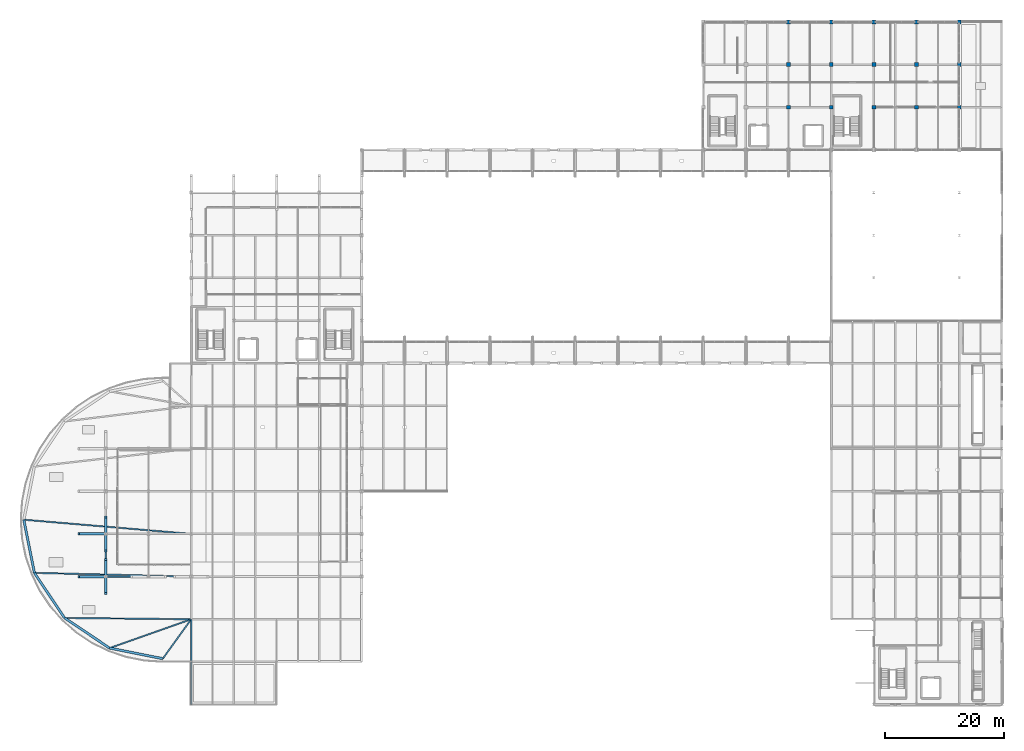
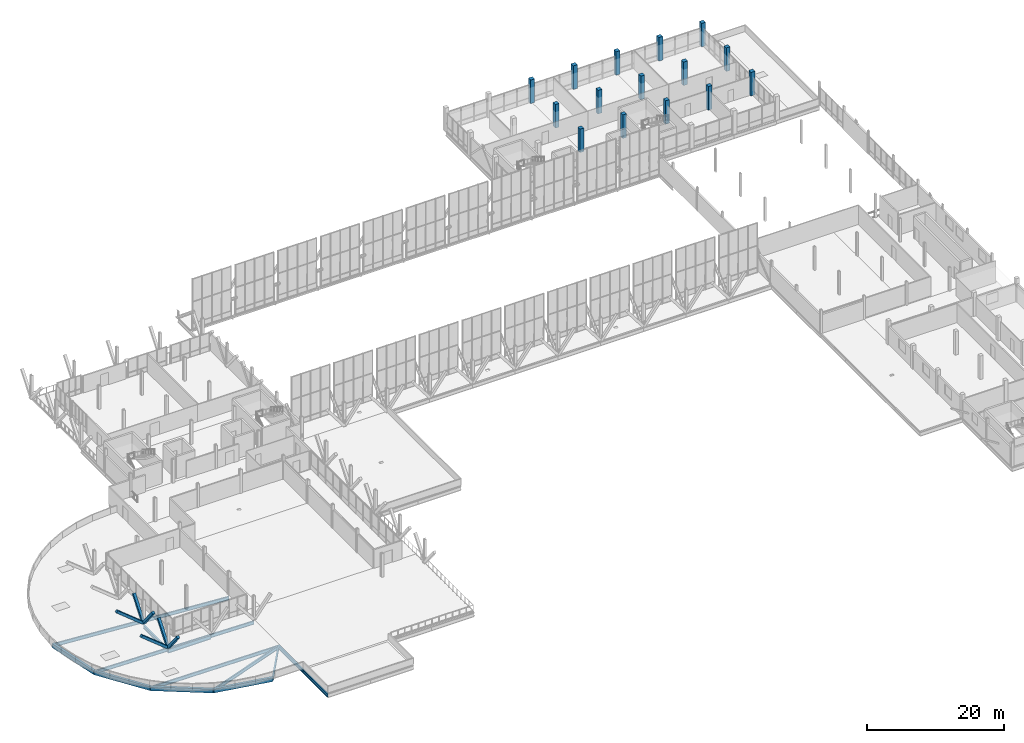
# One storey, part 8 of 102: 15 columns, 13 beams, 6 members.
"""IFC4 building model written with IfcOpenShell, lengths in metres."""

from ifc_helpers import new_model, si_unit, direction, frame, origin, origin_2d, place, context, subcontext, project, spatial, rectangle, i_section, extrude, material, material_profile, profile_set, type_object, element, save


model = new_model("IFC4")

# Units and contexts
model_context = context("Model", 3, precision=1e-05, world=origin(), true_north=direction((0.0, 1.0)))
body_context = subcontext(model_context, "Body", "Model", "MODEL_VIEW")
ifc_project = project(units=[si_unit("LENGTHUNIT", "METRE"), si_unit("AREAUNIT", "SQUARE_METRE"), si_unit("VOLUMEUNIT", "CUBIC_METRE"), si_unit("PLANEANGLEUNIT", "RADIAN"), si_unit("MASSUNIT", "GRAM", prefix="KILO")], contexts=[model_context])

# Site, building, storey
site_placement = place(None, origin())
site = spatial("IfcSite", under=ifc_project, at=site_placement, CompositionType="ELEMENT")
building_placement = place(site_placement, origin())
building = spatial("IfcBuilding", under=site, at=building_placement, Name="Yarey Park Central Fire Station", CompositionType="ELEMENT")
storey_placement = place(building_placement, frame((0.0, 0.0, 6.0)))
storey = spatial("IfcBuildingStorey", under=building, at=storey_placement, Name="L02", CompositionType="ELEMENT", Elevation=6.0)

# Columns
ifc_material_1 = material(Name="Concrete C40/50", Category="concrete")
ifc_material_profile_1 = material_profile(ifc_material_1, rectangle(XDim=0.64990234375, YDim=0.64990234375, at=origin_2d()), Name="RC 650x650")
ifc_profile_set_1 = profile_set([ifc_material_profile_1], Name="Concrete C40/50")
column_type_1 = type_object("IfcColumnType", Name="STR_COL_RC650_EXT", PredefinedType="COLUMN", material=ifc_profile_set_1)
for number, where, z_axis, x_axis, name in (
    (1, (129.60009765625, 115.199951171875, 0.0), (0.0, 0.0, 1.0), (1.0, 0.0, 0.0), "COL_L02_X1296_Y1152"),
    (2, (136.800048828125, 115.199951171875, 0.0), (0.0, 0.0, 1.0), (1.0, 0.0, 0.0), "COL_L02_X1368_Y1152"),
    (3, (144.0, 115.199951171875, 0.0), (0.0, 0.0, 1.0), (1.0, 0.0, 0.0), "COL_L02_X1440_Y1152"),
    (4, (151.199951171875, 115.199951171875, 0.0), (0.0, 0.0, 1.0), (1.0, 0.0, 0.0), "COL_L02_X1512_Y1152"),
    (5, (158.39990234375, 100.800048828125, 0.0), (0.0, 0.0, 1.0), (1.0, 0.0, 0.0), "COL_L02_X1584_Y1008"),
    (6, (158.39990234375, 108.0, 0.0), (0.0, 0.0, 1.0), (1.0, 0.0, 0.0), "COL_L02_X1584_Y1080"),
    (7, (158.39990234375, 115.199951171875, 0.0), (0.0, 0.0, 1.0), (1.0, 0.0, 0.0), "COL_L02_X1584_Y1152"),
):
    element("IfcColumn", number, at=place(storey_placement, frame(where, z_axis=z_axis, x_axis=x_axis)), inside=storey, type_object=column_type_1, Name=name, PredefinedType="COLUMN", context=body_context, shape_type="SweptSolid", body=[
        extrude(rectangle(XDim=0.64990234375, YDim=0.64990234375, at=origin_2d()), origin(), (0.0, 0.0, 1.0), 4.199951171875),
    ])
ifc_material_profile_2 = material_profile(ifc_material_1, rectangle(XDim=0.64990234375, YDim=0.64990234375, at=origin_2d()), Name="RC 650x650")
ifc_profile_set_2 = profile_set([ifc_material_profile_2], Name="Concrete C40/50")
column_type_2 = type_object("IfcColumnType", Name="STR_COL_RC650_INT", PredefinedType="COLUMN", material=ifc_profile_set_2)
for number, where, z_axis, x_axis, name in (
    (8, (129.60009765625, 100.800048828125, 0.0), (0.0, 0.0, 1.0), (1.0, 0.0, 0.0), "COL_L02_X1296_Y1008"),
    (9, (129.60009765625, 108.0, 0.0), (0.0, 0.0, 1.0), (1.0, 0.0, 0.0), "COL_L02_X1296_Y1080"),
    (10, (136.800048828125, 100.800048828125, 0.0), (0.0, 0.0, 1.0), (1.0, 0.0, 0.0), "COL_L02_X1368_Y1008"),
    (11, (136.800048828125, 108.0, 0.0), (0.0, 0.0, 1.0), (1.0, 0.0, 0.0), "COL_L02_X1368_Y1080"),
    (12, (144.0, 100.800048828125, 0.0), (0.0, 0.0, 1.0), (1.0, 0.0, 0.0), "COL_L02_X1440_Y1008"),
    (13, (144.0, 108.0, 0.0), (0.0, 0.0, 1.0), (1.0, 0.0, 0.0), "COL_L02_X1440_Y1080"),
    (14, (151.199951171875, 100.800048828125, 0.0), (0.0, 0.0, 1.0), (1.0, 0.0, 0.0), "COL_L02_X1512_Y1008"),
    (15, (151.199951171875, 108.0, 0.0), (0.0, 0.0, 1.0), (1.0, 0.0, 0.0), "COL_L02_X1512_Y1080"),
):
    element("IfcColumn", number, at=place(storey_placement, frame(where, z_axis=z_axis, x_axis=x_axis)), inside=storey, type_object=column_type_2, Name=name, PredefinedType="COLUMN", context=body_context, shape_type="SweptSolid", body=[
        extrude(rectangle(XDim=0.64990234375, YDim=0.64990234375, at=origin_2d()), origin(), (0.0, 0.0, 1.0), 4.199951171875),
    ])

# Beams
ifc_material_2 = material(Name="Steel ASTM A992 Gr. 50", Category="steel")
ifc_material_profile_3 = material_profile(ifc_material_2, i_section(OverallWidth=0.22900390625, OverallDepth=0.612060546875, WebThickness=0.011962890625, FlangeThickness=0.01953125, at=origin_2d()), Name="W610x125")
ifc_profile_set_3 = profile_set([ifc_material_profile_3], Name="Steel ASTM A992 Gr. 50")
beam_type_1 = type_object("IfcBeamType", Name="STR_BM_W610", PredefinedType="BEAM", material=ifc_profile_set_3)
for number, where, z_axis, x_axis, name in (
    (16, (28.800048828125, 0.0, -0.5009765625), (0.0, 1.0, 0.0), (-1.0, 0.0, 0.0), "BMY L02 X288 Y0"),
    (17, (28.800048828125, 7.199951171875, -0.510986328125), (0.0, 1.0, 0.0), (-1.0, 0.0, 0.0), "BMY L02 X288 Y72"),
    (18, (14.39990234375, 21.60009765625, -0.591064453125), (0.0, 1.0, 0.0), (-1.0, 0.0, 0.0), "DRUM L02 BY14 Y216"),
):
    element("IfcBeam", number, at=place(storey_placement, frame(where, z_axis=z_axis, x_axis=x_axis)), inside=storey, type_object=beam_type_1, Name=name, PredefinedType="BEAM", context=body_context, shape_type="SweptSolid", body=[
        extrude(i_section(OverallWidth=0.22900390625, OverallDepth=0.612060546875, WebThickness=0.011962890625, FlangeThickness=0.01953125, at=origin_2d()), origin(), (0.0, 0.0, 1.0), 7.199951171875),
    ])
beam_1_placement = place(storey_placement, frame((0.550048828125, 31.199951171875, -0.594970703125), z_axis=(0.996410968358, -0.084647398878, 0.0), x_axis=(0.084647398878, 0.996410968358, 0.0)))
element("IfcBeam", 19, at=beam_1_placement, inside=storey, type_object=beam_type_1, Name="BM_V1_RAD_05", PredefinedType="BEAM", context=body_context, shape_type="SweptSolid", body=[
    extrude(i_section(OverallWidth=0.22900390625, OverallDepth=0.612060546875, WebThickness=0.011962890625, FlangeThickness=0.01953125, at=origin_2d()), origin(), (0.0, 0.0, 1.0), 28.351806640625),
])
beam_2_placement = place(storey_placement, frame((2.3349609375, 22.22607421875, -0.594970703125), z_axis=(0.999720387046, -0.023646304669, 0.0), x_axis=(0.023646304669, 0.999720387046, 0.0)))
element("IfcBeam", 20, at=beam_2_placement, inside=storey, type_object=beam_type_1, Name="BM_V1_RAD_06", PredefinedType="BEAM", context=body_context, shape_type="SweptSolid", body=[
    extrude(i_section(OverallWidth=0.22900390625, OverallDepth=0.612060546875, WebThickness=0.011962890625, FlangeThickness=0.01953125, at=origin_2d()), origin(), (0.0, 0.0, 1.0), 26.472412109375),
])
beam_3_placement = place(storey_placement, frame((7.41796875, 14.617919921875, -0.594970703125), z_axis=(0.999948022036, -0.010195745466, 0.0), x_axis=(0.010195745466, 0.999948022036, 0.0)))
element("IfcBeam", 21, at=beam_3_placement, inside=storey, type_object=beam_type_1, Name="BM_V1_RAD_07", PredefinedType="BEAM", context=body_context, shape_type="SweptSolid", body=[
    extrude(i_section(OverallWidth=0.22900390625, OverallDepth=0.612060546875, WebThickness=0.011962890625, FlangeThickness=0.01953125, at=origin_2d()), origin(), (0.0, 0.0, 1.0), 21.38330078125),
])
beam_4_placement = place(storey_placement, frame((15.02587890625, 9.534912109375, -0.594970703125), z_axis=(0.94291471636, 0.333034289032, 0.0), x_axis=(-0.333034289032, 0.94291471636, 0.0)))
element("IfcBeam", 22, at=beam_4_placement, inside=storey, type_object=beam_type_1, Name="BM_V1_RAD_08", PredefinedType="BEAM", context=body_context, shape_type="SweptSolid", body=[
    extrude(i_section(OverallWidth=0.22900390625, OverallDepth=0.612060546875, WebThickness=0.011962890625, FlangeThickness=0.01953125, at=origin_2d()), origin(), (0.0, 0.0, 1.0), 14.608154296875),
])
beam_5_placement = place(storey_placement, frame((24.0, 7.75, -0.594970703125), z_axis=(0.585277505043, 0.81083305439, 0.0), x_axis=(-0.81083305439, 0.585277505043, 0.0)))
element("IfcBeam", 23, at=beam_5_placement, inside=storey, type_object=beam_type_1, Name="BM_V1_RAD_09", PredefinedType="BEAM", context=body_context, shape_type="SweptSolid", body=[
    extrude(i_section(OverallWidth=0.22900390625, OverallDepth=0.612060546875, WebThickness=0.011962890625, FlangeThickness=0.01953125, at=origin_2d()), origin(), (0.0, 0.0, 1.0), 8.201416015625),
])
ifc_material_profile_4 = material_profile(ifc_material_2, i_section(OverallWidth=0.256103515625, OverallDepth=0.693115234375, WebThickness=0.014404296875, FlangeThickness=0.023681640625, at=origin_2d()), Name="W690x170")
ifc_profile_set_4 = profile_set([ifc_material_profile_4], Name="Steel ASTM A992 Gr. 50")
beam_type_2 = type_object("IfcBeamType", Name="STR_BM_W690", PredefinedType="BEAM", material=ifc_profile_set_4)
beam_6_placement = place(storey_placement, frame((14.39990234375, 21.60009765625, -0.631591796875), z_axis=(1.0, 0.0, 0.0), x_axis=(0.0, 1.0, 0.0)))
element("IfcBeam", 24, at=beam_6_placement, inside=storey, type_object=beam_type_2, Name="DRUM L02 G1 Y216", PredefinedType="BEAM", context=body_context, shape_type="SweptSolid", body=[
    extrude(i_section(OverallWidth=0.256103515625, OverallDepth=0.693115234375, WebThickness=0.014404296875, FlangeThickness=0.023681640625, at=origin_2d()), origin(), (0.0, 0.0, 1.0), 7.2001953125),
])
ifc_material_profile_5 = material_profile(ifc_material_1, rectangle(XDim=0.39990234375, YDim=0.699951171875, at=origin_2d()), Name="RC 400x700")
ifc_profile_set_5 = profile_set([ifc_material_profile_5], Name="Concrete C40/50")
beam_type_3 = type_object("IfcBeamType", Name="STR_SPN_RC700", PredefinedType="SPANDREL", material=ifc_profile_set_5)
beam_7_placement = place(storey_placement, frame((0.550048828125, 31.199951171875, -0.56005859375), z_axis=(0.195079493221, -0.980787434322, 0.0), x_axis=(0.980787434322, 0.195079493221, 0.0)))
element("IfcBeam", 25, at=beam_7_placement, inside=storey, type_object=beam_type_3, Name="SPN_V1_ARC_05", PredefinedType="SPANDREL", context=body_context, shape_type="SweptSolid", body=[
    extrude(rectangle(XDim=0.39990234375, YDim=0.699951171875, at=origin_2d()), origin(), (0.0, 0.0, 1.0), 9.149658203125),
])
beam_8_placement = place(storey_placement, frame((2.3349609375, 22.22607421875, -0.56005859375), z_axis=(0.555525021616, -0.831499819819, 0.0), x_axis=(0.831499819819, 0.555525021616, 0.0)))
element("IfcBeam", 26, at=beam_8_placement, inside=storey, type_object=beam_type_3, Name="SPN_V1_ARC_06", PredefinedType="SPANDREL", context=body_context, shape_type="SweptSolid", body=[
    extrude(rectangle(XDim=0.39990234375, YDim=0.699951171875, at=origin_2d()), origin(), (0.0, 0.0, 1.0), 9.14990234375),
])
beam_9_placement = place(storey_placement, frame((7.41796875, 14.617919921875, -0.56005859375), z_axis=(0.831491585179, -0.555537346878, 0.0), x_axis=(0.555537346878, 0.831491585179, 0.0)))
element("IfcBeam", 27, at=beam_9_placement, inside=storey, type_object=beam_type_3, Name="SPN_V1_ARC_07", PredefinedType="SPANDREL", context=body_context, shape_type="SweptSolid", body=[
    extrude(rectangle(XDim=0.39990234375, YDim=0.699951171875, at=origin_2d()), origin(), (0.0, 0.0, 1.0), 9.149658203125),
])
beam_10_placement = place(storey_placement, frame((15.02587890625, 9.534912109375, -0.56005859375), z_axis=(0.980788449731, -0.195074388051, 0.0), x_axis=(0.195074388051, 0.980788449731, 0.0)))
element("IfcBeam", 28, at=beam_10_placement, inside=storey, type_object=beam_type_3, Name="SPN_V1_ARC_08", PredefinedType="SPANDREL", context=body_context, shape_type="SweptSolid", body=[
    extrude(rectangle(XDim=0.39990234375, YDim=0.699951171875, at=origin_2d()), origin(), (0.0, 0.0, 1.0), 9.14990234375),
])

# Members
ifc_material_3 = material(Name="Glulam GL28h", Category="wood")
ifc_material_profile_6 = material_profile(ifc_material_3, rectangle(XDim=0.419921875, YDim=0.419921875, at=origin_2d()), Name="GL 420x420")
ifc_profile_set_6 = profile_set([ifc_material_profile_6], Name="Glulam GL28h")
member_type = type_object("IfcMemberType", Name="STR_STRUT_GL420", PredefinedType="STRUT", material=ifc_profile_set_6)
for number, where, z_axis, x_axis, name in (
    (29, (14.39990234375, 21.60009765625, -0.02001953125), (0.0, 0.623866946252, 0.781530570979), (-1.0, 0.0, 0.0), "Raked Glulam Strut RGS-09"),
    (30, (14.39990234375, 21.60009765625, -0.02001953125), (0.0, -0.623899588473, 0.781504512785), (1.0, 0.0, 0.0), "Raked Glulam Strut RGS-10"),
):
    element("IfcMember", number, at=place(storey_placement, frame(where, z_axis=z_axis, x_axis=x_axis)), inside=storey, type_object=member_type, Name=name, PredefinedType="STRUT", context=body_context, shape_type="SweptSolid", body=[
        extrude(rectangle(XDim=0.419921875, YDim=0.419921875, at=origin_2d()), origin(), (0.0, 0.0, 1.0), 4.568115234375),
    ])
member_1_placement = place(storey_placement, frame((14.39990234375, 21.60009765625, -0.02001953125), z_axis=(-0.778352467151, 0.0, 0.627827553457), x_axis=(0.0, -1.0, 0.0)))
element("IfcMember", 31, at=member_1_placement, inside=storey, type_object=member_type, Name="Raked Glulam Strut RGS-11", PredefinedType="STRUT", context=body_context, shape_type="SweptSolid", body=[
    extrude(rectangle(XDim=0.419921875, YDim=0.419921875, at=origin_2d()), origin(), (0.0, 0.0, 1.0), 5.845458984375),
])
for number, where, z_axis, x_axis, name in (
    (32, (14.39990234375, 28.800048828125, -0.02001953125), (0.0, 0.623866946252, 0.781530570979), (-1.0, 0.0, 0.0), "Raked Glulam Strut RGS-12"),
    (33, (14.39990234375, 28.800048828125, -0.02001953125), (0.0, -0.623899588473, 0.781504512785), (1.0, 0.0, 0.0), "Raked Glulam Strut RGS-13"),
):
    element("IfcMember", number, at=place(storey_placement, frame(where, z_axis=z_axis, x_axis=x_axis)), inside=storey, type_object=member_type, Name=name, PredefinedType="STRUT", context=body_context, shape_type="SweptSolid", body=[
        extrude(rectangle(XDim=0.419921875, YDim=0.419921875, at=origin_2d()), origin(), (0.0, 0.0, 1.0), 4.568115234375),
    ])
member_2_placement = place(storey_placement, frame((14.39990234375, 28.800048828125, -0.02001953125), z_axis=(-0.778352467151, 0.0, 0.627827553457), x_axis=(0.0, -1.0, 0.0)))
element("IfcMember", 34, at=member_2_placement, inside=storey, type_object=member_type, Name="Raked Glulam Strut RGS-14", PredefinedType="STRUT", context=body_context, shape_type="SweptSolid", body=[
    extrude(rectangle(XDim=0.419921875, YDim=0.419921875, at=origin_2d()), origin(), (0.0, 0.0, 1.0), 5.845458984375),
])

save(model, "model.ifc")
